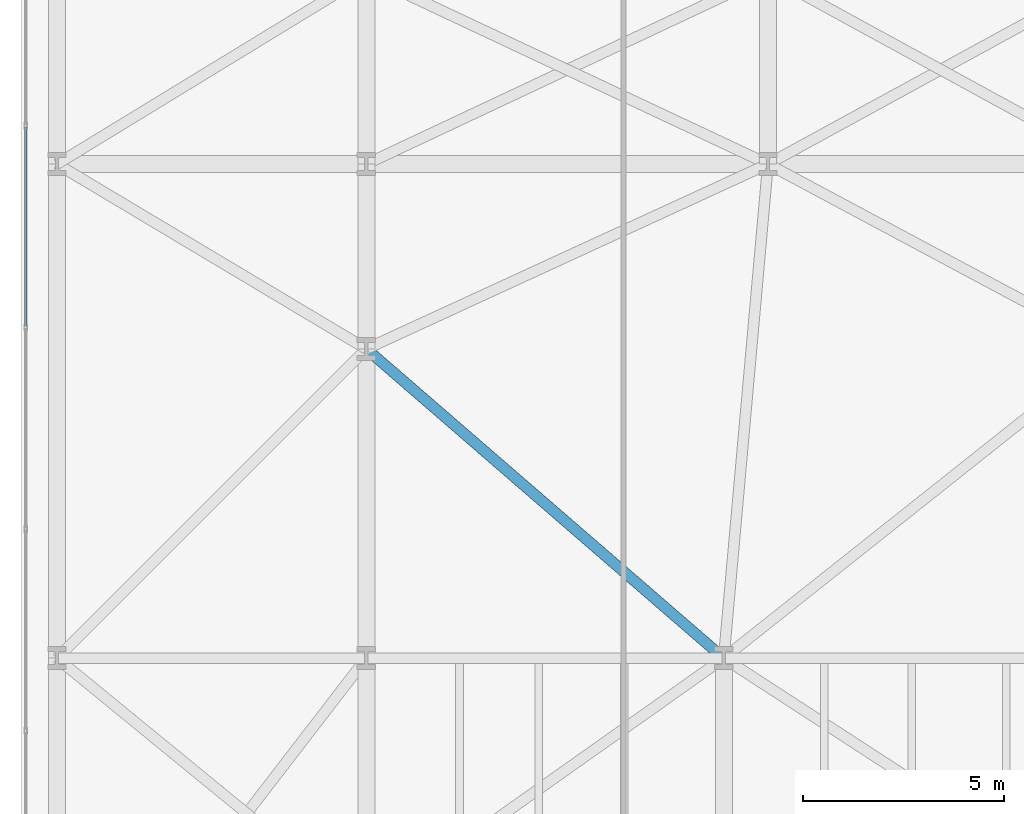
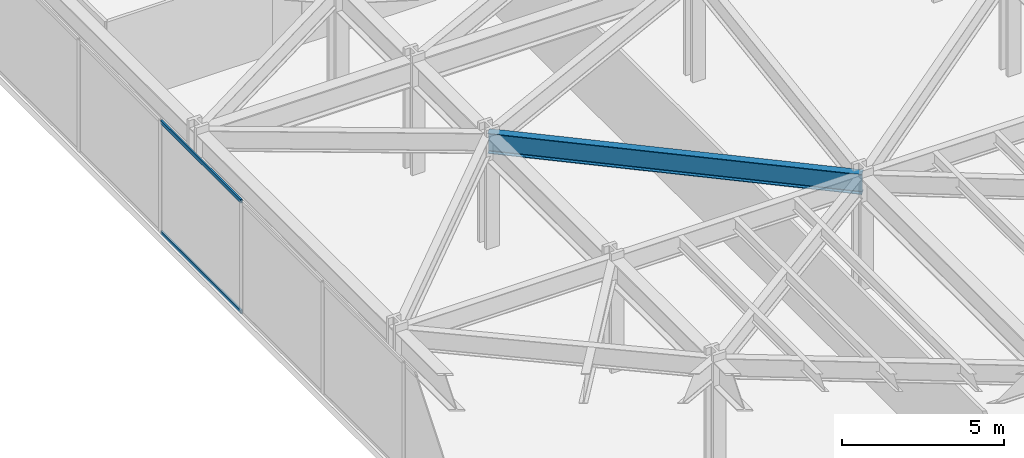
# One storey, part 9 of 28: 2 members, 1 beam, 1 element without a shape of its own.
"""IFC4 building model written with IfcOpenShell, lengths in metres."""

from ifc_helpers import new_model, si_unit, direction, frame, origin, origin_2d, place, context, subcontext, project, spatial, hollow_rectangle, i_section, extrude, material, layer, layer_set, material_profile, profile_set, type_object, element, aggregate, save


model = new_model("IFC4")

# Units and contexts
model_context = context("Model", 3, precision=1e-05, world=origin(), true_north=direction((0.0, 1.0)))
body_context = subcontext(model_context, "Body", "Model", "MODEL_VIEW")
ifc_project = project(units=[si_unit("LENGTHUNIT", "METRE"), si_unit("AREAUNIT", "SQUARE_METRE"), si_unit("VOLUMEUNIT", "CUBIC_METRE"), si_unit("PLANEANGLEUNIT", "RADIAN"), si_unit("MASSUNIT", "GRAM", prefix="KILO")], contexts=[model_context])

# Site, building, storey
site_placement = place(None, origin())
site = spatial("IfcSite", under=ifc_project, at=site_placement, CompositionType="ELEMENT")
building_placement = place(site_placement, origin())
building = spatial("IfcBuilding", under=site, at=building_placement, Name="Kravanh Interchange Tower", CompositionType="ELEMENT")
storey_placement = place(building_placement, frame((0.0, 0.0, 10.800048828125)))
storey = spatial("IfcBuildingStorey", under=building, at=storey_placement, Name="L02", CompositionType="ELEMENT", Elevation=10.800048828125)

# Curtain wall, members
ifc_material_1 = material(Name="Anodised Bronze Aluminium", Category="aluminium")
ifc_layer = layer(ifc_material_1, 0.179931640625)
ifc_layer_set = layer_set([ifc_layer], Name="Unitised Curtain Wall System CW-POD Podium Concourse")
curtain_wall_type = type_object("IfcCurtainWallType", Name="Unitised Curtain Wall System CW-POD Podium Concourse", PredefinedType="NOTDEFINED", material=ifc_layer_set)
curtain_wall_placement = place(storey_placement, origin())
curtain_wall = element("IfcCurtainWall", 1, at=curtain_wall_placement, inside=storey, type_object=curtain_wall_type, Name="L02 Unitised Curtain Wall CW-L02-01", PredefinedType="NOTDEFINED")
ifc_material_2 = material(Name="Anodised Bronze Aluminium", Category="aluminium")
ifc_material_profile_1 = material_profile(ifc_material_2, hollow_rectangle(XDim=0.06005859375, YDim=0.139892578125, WallThickness=0.00390625, at=origin_2d()), Name="ALU60X140X4")
ifc_profile_set_1 = profile_set([ifc_material_profile_1], Name="Anodised Bronze Aluminium")
member_type = type_object("IfcMemberType", Name="Curtain Wall Transom ALU60X140X4 Bronze", PredefinedType="USERDEFINED", material=ifc_profile_set_1)
member_1_placement = place(storey_placement, frame((0.1201171875, 22.7705078125, 0.030029296875), z_axis=(0.0, 1.0, 0.0), x_axis=(-1.0, 0.0, 0.0)))
member_1 = element("IfcMember", 2, at=member_1_placement, type_object=member_type, Name="CW-POD transom 5.1", ObjectType="TRANSOM", PredefinedType="USERDEFINED", context=body_context, shape_type="SweptSolid", body=[
    extrude(hollow_rectangle(XDim=0.06005859375, YDim=0.139892578125, WallThickness=0.00390625, at=origin_2d()), origin(), (0.0, 0.0, 1.0), 4.95166015625),
])
member_2_placement = place(storey_placement, frame((0.1201171875, 22.7705078125, 4.199951171875), z_axis=(0.0, 1.0, 0.0), x_axis=(-1.0, 0.0, 0.0)))
member_2 = element("IfcMember", 3, at=member_2_placement, type_object=member_type, Name="CW-POD transom 5.2", ObjectType="TRANSOM", PredefinedType="USERDEFINED", context=body_context, shape_type="SweptSolid", body=[
    extrude(hollow_rectangle(XDim=0.06005859375, YDim=0.139892578125, WallThickness=0.00390625, at=origin_2d()), origin(), (0.0, 0.0, 1.0), 4.95166015625),
])
aggregate(curtain_wall, [member_1, member_2])

# Beam
ifc_material_3 = material(Name="Structural Steel S355", Category="steel")
ifc_material_profile_2 = material_profile(ifc_material_3, i_section(OverallWidth=0.26708984375, OverallDepth=0.761962890625, WebThickness=0.014404296875, FlangeThickness=0.021484375, FilletRadius=0.02490234375, at=origin_2d()), Name="W30X116")
ifc_profile_set_2 = profile_set([ifc_material_profile_2], Name="Structural Steel S355")
beam_type = type_object("IfcBeamType", Name="Floor Spandrel W30X116 Structural Steel S355", PredefinedType="SPANDREL", material=ifc_profile_set_2)
beam_placement = place(storey_placement, frame((17.5, 14.5, 3.848876953125), z_axis=(-0.756248034465, 0.654285037554, 0.0), x_axis=(-0.654285037554, -0.756248034465, 0.0)))
element("IfcBeam", 4, at=beam_placement, inside=storey, type_object=beam_type, Name="L02 Perimeter Spandrel 42", PredefinedType="SPANDREL", context=body_context, shape_type="SweptSolid", body=[
    extrude(i_section(OverallWidth=0.26708984375, OverallDepth=0.761962890625, WebThickness=0.014404296875, FlangeThickness=0.021484375, FilletRadius=0.02490234375, at=origin_2d()), origin(), (0.0, 0.0, 1.0), 11.7685546875),
])

save(model, "model.ifc")
